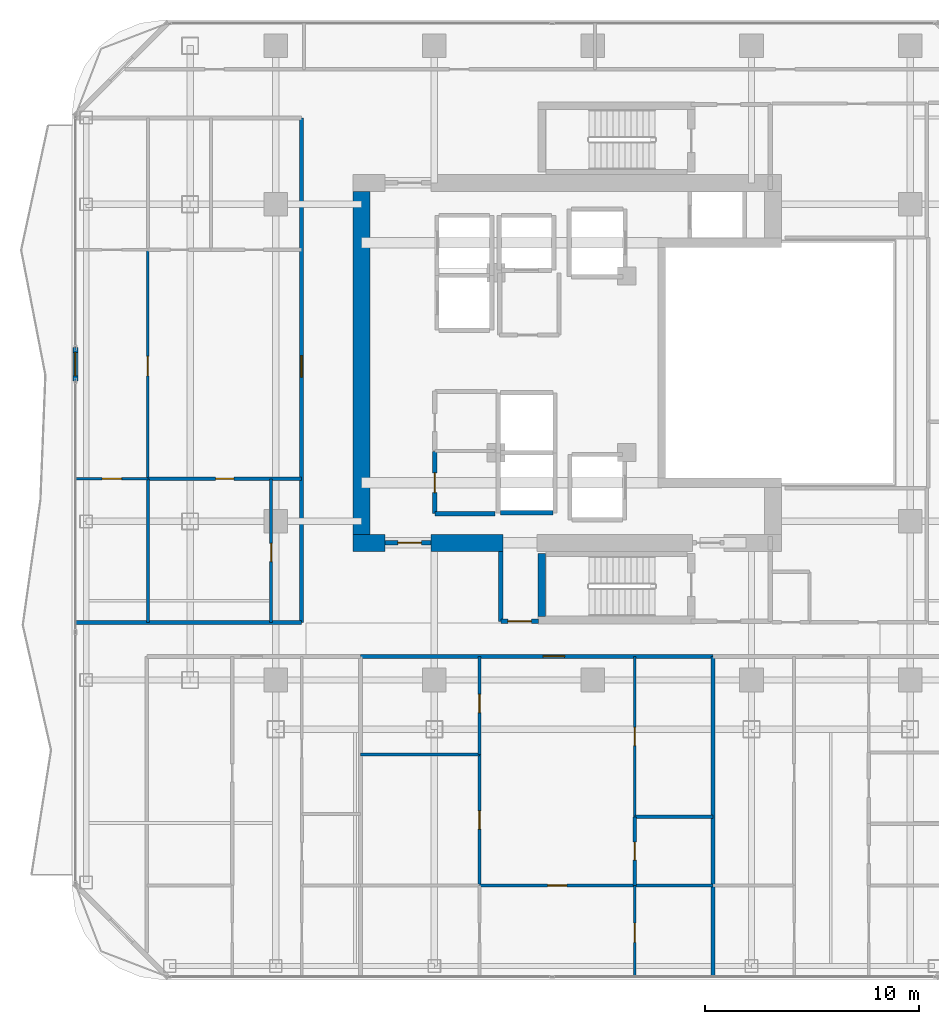
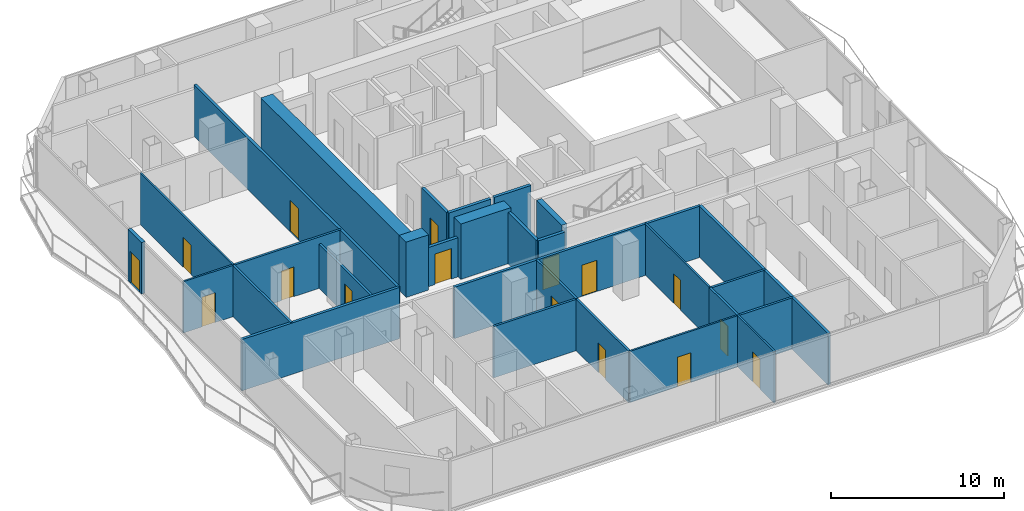
# One storey, part 17 of 23: 29 walls, 16 doors, 16 openings.
"""IFC4 building model written with IfcOpenShell, lengths in metres."""

from ifc_helpers import new_model, si_unit, direction, frame, frame_2d, origin, place, context, subcontext, project, spatial, rectangle, extrude, material, layer, layer_set, type_object, element, fill, save


model = new_model("IFC4")

# Units and contexts
model_context = context("Model", 3, precision=1e-05, world=origin(), true_north=direction((0.0, 1.0)))
body_context = subcontext(model_context, "Body", "Model", "MODEL_VIEW")
ifc_project = project(units=[si_unit("LENGTHUNIT", "METRE"), si_unit("AREAUNIT", "SQUARE_METRE"), si_unit("VOLUMEUNIT", "CUBIC_METRE"), si_unit("PLANEANGLEUNIT", "RADIAN"), si_unit("MASSUNIT", "GRAM", prefix="KILO")], contexts=[model_context])

# Site, building, storey
site_placement = place(None, origin())
site = spatial("IfcSite", under=ifc_project, at=site_placement, CompositionType="ELEMENT")
building_placement = place(site_placement, origin())
building = spatial("IfcBuilding", under=site, at=building_placement, Name="Khorvyn Point Tower", CompositionType="ELEMENT")
storey_placement = place(building_placement, frame((0.0, 0.0, 207.0)))
storey = spatial("IfcBuildingStorey", under=building, at=storey_placement, Name="L51", CompositionType="ELEMENT", Elevation=207.0)

# Wall, opening, door
ifc_material_1 = material(Name="Double acoustic gypsum on twin steel stud", Category="steel")
ifc_layer_1 = layer(ifc_material_1, 0.179931640625)
ifc_layer_set_1 = layer_set([ifc_layer_1], Name="Acoustic Double-Stud Apartment Demising Wall 180")
wall_type_1 = type_object("IfcWallType", Name="Acoustic Double-Stud Apartment Demising Wall 180", PredefinedType="PARTITIONING", material=ifc_layer_set_1)
wall_1_placement = place(storey_placement, frame((-10.85498046875, -13.699951171875, 0.0), z_axis=(0.0, 0.0, 1.0), x_axis=(1.0, 0.0, 0.0)))
wall_1 = element("IfcWall", 1, at=wall_1_placement, inside=storey, type_object=wall_type_1, Name="Wall", PredefinedType="PARTITIONING", context=body_context, shape_type="SweptSolid", body=[
    extrude(rectangle(XDim=16.4541015625, YDim=0.179931640625, at=frame_2d((8.22705078125, 0.0))), origin(), (0.0, 0.0, 1.0), 3.6201171875),
])
opening_1_placement = place(wall_1_placement, frame((8.5283203125, 0.0, 0.0)))
opening_1 = element("IfcOpeningElement", 2, at=opening_1_placement, cuts=wall_1, Name="Opening ID-AP60", PredefinedType="OPENING", context=body_context, shape_type="SweptSolid", body=[
    extrude(rectangle(XDim=1.0, YDim=2.199951171875, at=frame_2d((0.5, 1.10009765625))), frame((0.0, 0.099853515625, 0.0), z_axis=(0.0, -1.0, 0.0), x_axis=(1.0, 0.0, 0.0)), (0.0, 0.0, 1.0), 0.199951171875),
])
ifc_material_2 = material(Name="Engineered hardwood fire-rated leaf", Category="wood")
door_type_1 = type_object("IfcDoorType", Name="Acoustic Solid-Core Timber Apartment Entrance Door 1000x2200", OperationType="NOTDEFINED", PredefinedType="DOOR", material=ifc_material_2)
door_1_placement = place(opening_1_placement, origin())
door_1 = element("IfcDoor", 3, at=door_1_placement, inside=storey, type_object=door_type_1, Name="Door", OperationType="SINGLE_SWING_RIGHT", OverallHeight=2.199951171875, OverallWidth=1.0, PredefinedType="DOOR", context=body_context, shape_type="SweptSolid", body=[
    extrude(rectangle(XDim=1.0, YDim=2.199951171875, at=frame_2d((0.5, 1.10009765625))), frame((0.0, 0.02490234375, 0.0), z_axis=(0.0, -1.0, 0.0), x_axis=(1.0, 0.0, 0.0)), (0.0, 0.0, 1.0), 0.050048828125),
])
fill(opening_1, door_1)

wall_2_placement = place(storey_placement, frame((-13.60009765625, -12.1201171875, 0.0), z_axis=(0.0, 0.0, 1.0), x_axis=(0.0, 1.0, 0.0)))
wall_2 = element("IfcWall", 4, at=wall_2_placement, inside=storey, type_object=wall_type_1, Name="Wall", PredefinedType="PARTITIONING", context=body_context, shape_type="SweptSolid", body=[
    extrude(rectangle(XDim=23.550048828125, YDim=0.179931640625, at=frame_2d((11.77490234375, 0.0))), origin(), (0.0, 0.0, 1.0), 3.6201171875),
])
opening_2_placement = place(wall_2_placement, frame((11.454345703125, 0.0, 0.0)))
opening_2 = element("IfcOpeningElement", 5, at=opening_2_placement, cuts=wall_2, Name="Opening ID-AP60", PredefinedType="OPENING", context=body_context, shape_type="SweptSolid", body=[
    extrude(rectangle(XDim=1.0, YDim=2.199951171875, at=frame_2d((0.5, 1.10009765625))), frame((0.0, 0.099853515625, 0.0), z_axis=(0.0, -1.0, 0.0), x_axis=(1.0, 0.0, 0.0)), (0.0, 0.0, 1.0), 0.199951171875),
])
door_2_placement = place(opening_2_placement, origin())
door_2 = element("IfcDoor", 6, at=door_2_placement, inside=storey, type_object=door_type_1, Name="Door", OperationType="SINGLE_SWING_LEFT", OverallHeight=2.199951171875, OverallWidth=1.0, PredefinedType="DOOR", context=body_context, shape_type="SweptSolid", body=[
    extrude(rectangle(XDim=1.0, YDim=2.199951171875, at=frame_2d((0.5, 1.10009765625))), frame((0.0, 0.02490234375, 0.0), z_axis=(0.0, -1.0, 0.0), x_axis=(1.0, 0.0, 0.0)), (0.0, 0.0, 1.0), 0.050048828125),
])
fill(opening_2, door_2)

# Walls
wall_3_placement = place(storey_placement, frame((5.59912109375, -28.6298828125, 0.0), z_axis=(0.0, 0.0, 1.0), x_axis=(0.0, 1.0, 0.0)))
element("IfcWall", 7, at=wall_3_placement, inside=storey, type_object=wall_type_1, Name="Wall", PredefinedType="PARTITIONING", context=body_context, shape_type="SweptSolid", body=[
    extrude(rectangle(XDim=14.929931640625, YDim=0.179931640625, at=frame_2d((7.46484375, 0.0))), origin(), (0.0, 0.0, 1.0), 3.6201171875),
])
wall_4_placement = place(storey_placement, frame((-24.1298828125, -12.1201171875, 0.0), z_axis=(0.0, 0.0, 1.0), x_axis=(1.0, 0.0, 0.0)))
element("IfcWall", 8, at=wall_4_placement, inside=storey, type_object=wall_type_1, Name="Wall", PredefinedType="PARTITIONING", context=body_context, shape_type="SweptSolid", body=[
    extrude(rectangle(XDim=10.52978515625, YDim=0.179931640625, at=frame_2d((5.264892578125, 0.0))), origin(), (0.0, 0.0, 1.0), 3.6201171875),
])

# Wall, opening, door
ifc_material_3 = material(Name="Pale anodised aluminium rainscreen on steel stud", Category="steel")
ifc_layer_2 = layer(ifc_material_3, 0.239990234375)
ifc_layer_set_2 = layer_set([ifc_layer_2], Name="Anodised Aluminium Insulated Corner Spandrel Wall 240")
wall_type_2 = type_object("IfcWallType", Name="Anodised Aluminium Insulated Corner Spandrel Wall 240", PredefinedType="SOLIDWALL", material=ifc_layer_set_2)
wall_5_placement = place(storey_placement, frame((-24.14990234375, -0.85302734375, 0.0), z_axis=(0.0, 0.0, 1.0), x_axis=(0.0, 1.0, 0.0)))
wall_5 = element("IfcWall", 9, at=wall_5_placement, inside=storey, type_object=wall_type_2, Name="L51 West Outdoor Threshold Wall", PredefinedType="SOLIDWALL", context=body_context, shape_type="SweptSolid", body=[
    extrude(rectangle(XDim=1.580078125, YDim=0.239990234375, at=frame_2d((0.7900390625, 0.0))), origin(), (0.0, 0.0, 1.0), 3.6201171875),
])
opening_3_placement = place(wall_5_placement, frame((0.239990234375, 0.0, 0.0)))
opening_3 = element("IfcOpeningElement", 10, at=opening_3_placement, cuts=wall_5, Name="Opening BD-1122", PredefinedType="OPENING", context=body_context, shape_type="SweptSolid", body=[
    extrude(rectangle(XDim=1.10009765625, YDim=2.199951171875, at=frame_2d((0.550048828125, 1.10009765625))), frame((0.0, 0.1298828125, 0.0), z_axis=(0.0, -1.0, 0.0), x_axis=(1.0, 0.0, 0.0)), (0.0, 0.0, 1.0), 0.260009765625),
])
ifc_material_4 = material(Name="Anodised aluminium 6063-T6 and laminated Low-E glass", Category="aluminium")
door_type_2 = type_object("IfcDoorType", Name="Glazed Balcony and Terrace Threshold Door 1100x2200", OperationType="NOTDEFINED", PredefinedType="DOOR", material=ifc_material_4)
door_3_placement = place(opening_3_placement, origin())
door_3 = element("IfcDoor", 11, at=door_3_placement, inside=storey, type_object=door_type_2, Name="L51 West Glazed Balcony Outdoor Door", OperationType="SINGLE_SWING_RIGHT", OverallHeight=2.199951171875, OverallWidth=1.10009765625, PredefinedType="DOOR", context=body_context, shape_type="SweptSolid", body=[
    extrude(rectangle(XDim=1.10009765625, YDim=2.199951171875, at=frame_2d((0.550048828125, 1.10009765625))), frame((0.0, 0.02490234375, 0.0), z_axis=(0.0, -1.0, 0.0), x_axis=(1.0, 0.0, 0.0)), (0.0, 0.0, 1.0), 0.050048828125),
])
fill(opening_3, door_3)

ifc_material_5 = material(Name="Concrete C40/50", Category="concrete")
ifc_layer_3 = layer(ifc_material_5, 0.199951171875)
ifc_layer_set_3 = layer_set([ifc_layer_3], Name="Concrete C40/50 Fire-Lobby Compartment Wall 200")
wall_type_3 = type_object("IfcWallType", Name="Concrete C40/50 Fire-Lobby Compartment Wall 200", PredefinedType="SOLIDWALL", material=ifc_layer_set_3)
wall_6_placement = place(storey_placement, frame((-9.699951171875, -8.39990234375, 0.0), z_axis=(0.0, 0.0, 1.0), x_axis=(1.0, 0.0, 0.0)))
wall_6 = element("IfcWall", 12, at=wall_6_placement, inside=storey, type_object=wall_type_3, Name="Wall", PredefinedType="SOLIDWALL", context=body_context, shape_type="SweptSolid", body=[
    extrude(rectangle(XDim=2.14990234375, YDim=0.199951171875, at=frame_2d((1.074951171875, 0.0))), origin(), (0.0, 0.0, 1.0), 2.760009765625),
])
opening_4_placement = place(wall_6_placement, frame((0.597900390625, 0.0, 0.0)))
opening_4 = element("IfcOpeningElement", 13, at=opening_4_placement, cuts=wall_6, Name="Opening ID-FL90", PredefinedType="OPENING", context=body_context, shape_type="SweptSolid", body=[
    extrude(rectangle(XDim=1.10009765625, YDim=2.14990234375, at=frame_2d((0.550048828125, 1.074951171875))), frame((0.0, 0.10986328125, 0.0), z_axis=(0.0, -1.0, 0.0), x_axis=(1.0, 0.0, 0.0)), (0.0, 0.0, 1.0), 0.219970703125),
])
ifc_material_6 = material(Name="Galvanised powder-coated steel", Category="steel")
door_type_3 = type_object("IfcDoorType", Name="Fire-Rated Steel Lobby and Stair Door 1100x2150", OperationType="NOTDEFINED", PredefinedType="DOOR", material=ifc_material_6)
door_4_placement = place(opening_4_placement, origin())
door_4 = element("IfcDoor", 14, at=door_4_placement, inside=storey, type_object=door_type_3, Name="Door", OperationType="SINGLE_SWING_RIGHT", OverallHeight=2.14990234375, OverallWidth=1.10009765625, PredefinedType="DOOR", context=body_context, shape_type="SweptSolid", body=[
    extrude(rectangle(XDim=1.10009765625, YDim=2.14990234375, at=frame_2d((0.550048828125, 1.074951171875))), frame((0.0, 0.02490234375, 0.0), z_axis=(0.0, -1.0, 0.0), x_axis=(1.0, 0.0, 0.0)), (0.0, 0.0, 1.0), 0.050048828125),
])
fill(opening_4, door_4)

wall_7_placement = place(storey_placement, frame((-4.300048828125, -12.06005859375, 0.0), z_axis=(0.0, 0.0, 1.0), x_axis=(1.0, 0.0, 0.0)))
wall_7 = element("IfcWall", 15, at=wall_7_placement, inside=storey, type_object=wall_type_3, Name="Wall", PredefinedType="SOLIDWALL", context=body_context, shape_type="SweptSolid", body=[
    extrude(rectangle(XDim=1.75, YDim=0.199951171875, at=frame_2d((0.875, 0.0))), origin(), (0.0, 0.0, 1.0), 3.6201171875),
])
opening_5_placement = place(wall_7_placement, frame((0.324951171875, 0.0, 0.0)))
opening_5 = element("IfcOpeningElement", 16, at=opening_5_placement, cuts=wall_7, Name="Opening ID-FL90", PredefinedType="OPENING", context=body_context, shape_type="SweptSolid", body=[
    extrude(rectangle(XDim=1.10009765625, YDim=2.14990234375, at=frame_2d((0.550048828125, 1.074951171875))), frame((0.0, 0.10986328125, 0.0), z_axis=(0.0, -1.0, 0.0), x_axis=(1.0, 0.0, 0.0)), (0.0, 0.0, 1.0), 0.219970703125),
])
door_5_placement = place(opening_5_placement, origin())
door_5 = element("IfcDoor", 17, at=door_5_placement, inside=storey, type_object=door_type_3, Name="Door", OperationType="SINGLE_SWING_RIGHT", OverallHeight=2.14990234375, OverallWidth=1.10009765625, PredefinedType="DOOR", context=body_context, shape_type="SweptSolid", body=[
    extrude(rectangle(XDim=1.10009765625, YDim=2.14990234375, at=frame_2d((0.550048828125, 1.074951171875))), frame((0.0, 0.02490234375, 0.0), z_axis=(0.0, -1.0, 0.0), x_axis=(1.0, 0.0, 0.0)), (0.0, 0.0, 1.0), 0.050048828125),
])
fill(opening_5, door_5)

wall_8_placement = place(storey_placement, frame((-7.3798828125, -7.0400390625, 0.0), z_axis=(0.0, 0.0, 1.0), x_axis=(0.0, 1.0, 0.0)))
wall_8 = element("IfcWall", 18, at=wall_8_placement, inside=storey, type_object=wall_type_3, Name="Wall", PredefinedType="SOLIDWALL", context=body_context, shape_type="SweptSolid", body=[
    extrude(rectangle(XDim=2.900146484375, YDim=0.199951171875, at=frame_2d((1.4501953125, 0.0))), origin(), (0.0, 0.0, 1.0), 3.6201171875),
])
opening_6_placement = place(wall_8_placement, frame((0.989990234375, 0.0, 0.0)))
opening_6 = element("IfcOpeningElement", 19, at=opening_6_placement, cuts=wall_8, Name="Opening ID-RS60", PredefinedType="OPENING", context=body_context, shape_type="SweptSolid", body=[
    extrude(rectangle(XDim=0.919921875, YDim=2.10009765625, at=frame_2d((0.4599609375, 1.050048828125))), frame((0.0, 0.10986328125, 0.0), z_axis=(0.0, -1.0, 0.0), x_axis=(1.0, 0.0, 0.0)), (0.0, 0.0, 1.0), 0.219970703125),
])
door_type_4 = type_object("IfcDoorType", Name="Fire-Rated Riser and Store Steel Door 920x2100", OperationType="NOTDEFINED", PredefinedType="DOOR", material=ifc_material_6)
door_6_placement = place(opening_6_placement, origin())
door_6 = element("IfcDoor", 20, at=door_6_placement, inside=storey, type_object=door_type_4, Name="Door", OperationType="SINGLE_SWING_LEFT", OverallHeight=2.10009765625, OverallWidth=0.919921875, PredefinedType="DOOR", context=body_context, shape_type="SweptSolid", body=[
    extrude(rectangle(XDim=0.919921875, YDim=2.10009765625, at=frame_2d((0.4599609375, 1.050048828125))), frame((0.0, 0.02490234375, 0.0), z_axis=(0.0, -1.0, 0.0), x_axis=(1.0, 0.0, 0.0)), (0.0, 0.0, 1.0), 0.050048828125),
])
fill(opening_6, door_6)

# Walls
wall_9_placement = place(storey_placement, frame((-4.300048828125, -12.06005859375, 0.0), z_axis=(0.0, 0.0, 1.0), x_axis=(0.0, 1.0, 0.0)))
element("IfcWall", 21, at=wall_9_placement, inside=storey, type_object=wall_type_3, Name="Wall", PredefinedType="SOLIDWALL", context=body_context, shape_type="SweptSolid", body=[
    extrude(rectangle(XDim=3.260009765625, YDim=0.199951171875, at=frame_2d((1.6298828125, 0.0))), origin(), (0.0, 0.0, 1.0), 3.6201171875),
])
wall_10_placement = place(storey_placement, frame((-7.3798828125, -7.0400390625, 0.0), z_axis=(0.0, 0.0, 1.0), x_axis=(1.0, 0.0, 0.0)))
element("IfcWall", 22, at=wall_10_placement, inside=storey, type_object=wall_type_3, Name="Wall", PredefinedType="SOLIDWALL", context=body_context, shape_type="SweptSolid", body=[
    extrude(rectangle(XDim=2.7998046875, YDim=0.199951171875, at=frame_2d((1.39990234375, 0.0))), origin(), (0.0, 0.0, 1.0), 3.6201171875),
])
ifc_layer_4 = layer(ifc_material_5, 0.35009765625)
ifc_layer_set_4 = layer_set([ifc_layer_4], Name="Concrete C40/50 Stair Shaft Structural Wall 350")
wall_type_4 = type_object("IfcWallType", Name="Concrete C40/50 Stair Shaft Structural Wall 350", PredefinedType="SHEAR", material=ifc_layer_set_4)
wall_11_placement = place(storey_placement, frame((-2.3798828125, -11.824951171875, 0.0), z_axis=(0.0, 0.0, 1.0), x_axis=(0.0, 1.0, 0.0)))
element("IfcWall", 23, at=wall_11_placement, inside=storey, type_object=wall_type_4, Name="L51 ST-01 West Shaft Wall", PredefinedType="SHEAR", context=body_context, shape_type="SweptSolid", body=[
    extrude(rectangle(XDim=2.925048828125, YDim=0.35009765625, at=frame_2d((1.46240234375, 0.0))), origin(), (0.0, 0.0, 1.0), 3.89990234375),
])
ifc_layer_5 = layer(ifc_material_5, 0.199951171875)
ifc_layer_set_5 = layer_set([ifc_layer_5], Name="Concrete C40/50 Structural Hoistway and Stair Shaft Wall 200")
wall_type_5 = type_object("IfcWallType", Name="Concrete C40/50 Structural Hoistway and Stair Shaft Wall 200", PredefinedType="SHEAR", material=ifc_layer_set_5)
wall_12_placement = place(storey_placement, frame((-4.324951171875, -7.0, 0.0), z_axis=(0.0, 0.0, 1.0), x_axis=(1.0, 0.0, 0.0)))
element("IfcWall", 24, at=wall_12_placement, inside=storey, type_object=wall_type_5, Name="Wall", PredefinedType="SHEAR", context=body_context, shape_type="SweptSolid", body=[
    extrude(rectangle(XDim=2.449951171875, YDim=0.199951171875, at=frame_2d((1.22509765625, 0.0))), origin(), (0.0, 0.0, 1.0), 3.6201171875),
])
ifc_material_7 = material(Name="Concrete C45/55", Category="concrete")
ifc_layer_6 = layer(ifc_material_7, 0.800048828125)
ifc_layer_set_6 = layer_set([ifc_layer_6], Name="Concrete C45/55 Core Shear Wall 800")
wall_type_6 = type_object("IfcWallType", Name="Concrete C45/55 Core Shear Wall 800", PredefinedType="SHEAR", material=ifc_layer_set_6)
wall_13_placement = place(storey_placement, frame((-11.199951171875, -8.39990234375, 0.0), z_axis=(0.0, 0.0, 1.0), x_axis=(1.0, 0.0, 0.0)))
element("IfcWall", 25, at=wall_13_placement, inside=storey, type_object=wall_type_6, Name="Wall", PredefinedType="SHEAR", context=body_context, shape_type="SweptSolid", body=[
    extrude(rectangle(XDim=1.5, YDim=0.800048828125, at=frame_2d((0.75, 0.0))), origin(), (0.0, 0.0, 1.0), 3.89990234375),
])
wall_14_placement = place(storey_placement, frame((-7.550048828125, -8.39990234375, 0.0), z_axis=(0.0, 0.0, 1.0), x_axis=(1.0, 0.0, 0.0)))
element("IfcWall", 26, at=wall_14_placement, inside=storey, type_object=wall_type_6, Name="Wall", PredefinedType="SHEAR", context=body_context, shape_type="SweptSolid", body=[
    extrude(rectangle(XDim=3.35009765625, YDim=0.800048828125, at=frame_2d((1.675048828125, 0.0))), origin(), (0.0, 0.0, 1.0), 3.89990234375),
])
wall_15_placement = place(storey_placement, frame((-10.800048828125, -8.0, 0.0), z_axis=(0.0, 0.0, 1.0), x_axis=(0.0, 1.0, 0.0)))
element("IfcWall", 27, at=wall_15_placement, inside=storey, type_object=wall_type_6, Name="Wall", PredefinedType="SHEAR", context=body_context, shape_type="SweptSolid", body=[
    extrude(rectangle(XDim=16.0, YDim=0.800048828125, at=frame_2d((8.0, 0.0))), origin(), (0.0, 0.0, 1.0), 3.89990234375),
])

# Wall, opening, door
ifc_material_8 = material(Name="Gypsum plasterboard on steel stud", Category="steel")
ifc_layer_7 = layer(ifc_material_8, 0.1201171875)
ifc_layer_set_7 = layer_set([ifc_layer_7], Name="Gypsum Acoustic Stud Room Partition Wall 120")
wall_type_7 = type_object("IfcWallType", Name="Gypsum Acoustic Stud Room Partition Wall 120", PredefinedType="PARTITIONING", material=ifc_layer_set_7)
wall_16_placement = place(storey_placement, frame((-5.29296875, -24.389892578125, 0.0), z_axis=(0.0, 0.0, 1.0), x_axis=(1.0, 0.0, 0.0)))
wall_16 = element("IfcWall", 28, at=wall_16_placement, inside=storey, type_object=wall_type_7, Name="Wall", PredefinedType="PARTITIONING", context=body_context, shape_type="SweptSolid", body=[
    extrude(rectangle(XDim=7.248046875, YDim=0.1201171875, at=frame_2d((3.6240234375, 0.0))), origin(), (0.0, 0.0, 1.0), 3.6201171875),
])
opening_7_placement = place(wall_16_placement, frame((3.174072265625, 0.0, 0.0)))
opening_7 = element("IfcOpeningElement", 29, at=opening_7_placement, cuts=wall_16, Name="Opening ID-RM90", PredefinedType="OPENING", context=body_context, shape_type="SweptSolid", body=[
    extrude(rectangle(XDim=0.89990234375, YDim=2.10009765625, at=frame_2d((0.449951171875, 1.050048828125))), frame((0.0, 0.070068359375, 0.0), z_axis=(0.0, -1.0, 0.0), x_axis=(1.0, 0.0, 0.0)), (0.0, 0.0, 1.0), 0.14013671875),
])
ifc_material_9 = material(Name="Engineered oak veneer timber", Category="wood")
door_type_5 = type_object("IfcDoorType", Name="Flush Engineered Timber Room Door 900x2100", OperationType="NOTDEFINED", PredefinedType="DOOR", material=ifc_material_9)
door_7_placement = place(opening_7_placement, origin())
door_7 = element("IfcDoor", 30, at=door_7_placement, inside=storey, type_object=door_type_5, Name="Door", OperationType="SINGLE_SWING_LEFT", OverallHeight=2.10009765625, OverallWidth=0.89990234375, PredefinedType="DOOR", context=body_context, shape_type="SweptSolid", body=[
    extrude(rectangle(XDim=0.89990234375, YDim=2.10009765625, at=frame_2d((0.449951171875, 1.050048828125))), frame((0.0, 0.02490234375, 0.0), z_axis=(0.0, -1.0, 0.0), x_axis=(1.0, 0.0, 0.0)), (0.0, 0.0, 1.0), 0.050048828125),
])
fill(opening_7, door_7)

wall_17_placement = place(storey_placement, frame((1.955078125, -21.18310546875, 0.0), z_axis=(0.0, 0.0, 1.0), x_axis=(0.0, 1.0, 0.0)))
wall_17 = element("IfcWall", 31, at=wall_17_placement, inside=storey, type_object=wall_type_7, Name="Wall", PredefinedType="PARTITIONING", context=body_context, shape_type="SweptSolid", body=[
    extrude(rectangle(XDim=7.483154296875, YDim=0.1201171875, at=frame_2d((3.74169921875, 0.0))), origin(), (0.0, 0.0, 1.0), 3.6201171875),
])
opening_8_placement = place(wall_17_placement, frame((3.31640625, 0.0, 0.0)))
opening_8 = element("IfcOpeningElement", 32, at=opening_8_placement, cuts=wall_17, Name="Opening ID-WC85", PredefinedType="OPENING", context=body_context, shape_type="SweptSolid", body=[
    extrude(rectangle(XDim=0.85009765625, YDim=2.10009765625, at=frame_2d((0.425048828125, 1.050048828125))), frame((0.0, 0.070068359375, 0.0), z_axis=(0.0, -1.0, 0.0), x_axis=(1.0, 0.0, 0.0)), (0.0, 0.0, 1.0), 0.14013671875),
])
ifc_material_10 = material(Name="High-pressure laminate on moisture-resistant core", Category="wood")
door_type_6 = type_object("IfcDoorType", Name="Moisture-Resistant Accessible Washroom Door 850x2100", OperationType="NOTDEFINED", PredefinedType="DOOR", material=ifc_material_10)
door_8_placement = place(opening_8_placement, origin())
door_8 = element("IfcDoor", 33, at=door_8_placement, inside=storey, type_object=door_type_6, Name="Door", OperationType="SINGLE_SWING_RIGHT", OverallHeight=2.10009765625, OverallWidth=0.85009765625, PredefinedType="DOOR", context=body_context, shape_type="SweptSolid", body=[
    extrude(rectangle(XDim=0.85009765625, YDim=2.10009765625, at=frame_2d((0.425048828125, 1.050048828125))), frame((0.0, 0.02490234375, 0.0), z_axis=(0.0, -1.0, 0.0), x_axis=(1.0, 0.0, 0.0)), (0.0, 0.0, 1.0), 0.050048828125),
])
fill(opening_8, door_8)

wall_18_placement = place(storey_placement, frame((1.955078125, -28.6298828125, 0.0), z_axis=(0.0, 0.0, 1.0), x_axis=(0.0, 1.0, 0.0)))
wall_18 = element("IfcWall", 34, at=wall_18_placement, inside=storey, type_object=wall_type_7, Name="Wall", PredefinedType="PARTITIONING", context=body_context, shape_type="SweptSolid", body=[
    extrude(rectangle(XDim=4.239990234375, YDim=0.1201171875, at=frame_2d((2.1201171875, 0.0))), origin(), (0.0, 0.0, 1.0), 3.6201171875),
])
opening_9_placement = place(wall_18_placement, frame((1.581298828125, 0.0, 0.0)))
opening_9 = element("IfcOpeningElement", 35, at=opening_9_placement, cuts=wall_18, Name="Opening ID-RM90", PredefinedType="OPENING", context=body_context, shape_type="SweptSolid", body=[
    extrude(rectangle(XDim=0.89990234375, YDim=2.10009765625, at=frame_2d((0.449951171875, 1.050048828125))), frame((0.0, 0.070068359375, 0.0), z_axis=(0.0, -1.0, 0.0), x_axis=(1.0, 0.0, 0.0)), (0.0, 0.0, 1.0), 0.14013671875),
])
door_9_placement = place(opening_9_placement, origin())
door_9 = element("IfcDoor", 36, at=door_9_placement, inside=storey, type_object=door_type_5, Name="Door", OperationType="SINGLE_SWING_LEFT", OverallHeight=2.10009765625, OverallWidth=0.89990234375, PredefinedType="DOOR", context=body_context, shape_type="SweptSolid", body=[
    extrude(rectangle(XDim=0.89990234375, YDim=2.10009765625, at=frame_2d((0.449951171875, 1.050048828125))), frame((0.0, 0.02490234375, 0.0), z_axis=(0.0, -1.0, 0.0), x_axis=(1.0, 0.0, 0.0)), (0.0, 0.0, 1.0), 0.050048828125),
])
fill(opening_9, door_9)

wall_19_placement = place(storey_placement, frame((-20.76904296875, -5.408935546875, 0.0), z_axis=(0.0, 0.0, 1.0), x_axis=(0.0, 1.0, 0.0)))
wall_19 = element("IfcWall", 37, at=wall_19_placement, inside=storey, type_object=wall_type_7, Name="Wall", PredefinedType="PARTITIONING", context=body_context, shape_type="SweptSolid", body=[
    extrude(rectangle(XDim=10.69091796875, YDim=0.1201171875, at=frame_2d((5.345458984375, 0.0))), origin(), (0.0, 0.0, 1.0), 3.6201171875),
])
opening_10_placement = place(wall_19_placement, frame((4.80615234375, 0.0, 0.0)))
opening_10 = element("IfcOpeningElement", 38, at=opening_10_placement, cuts=wall_19, Name="Opening ID-RM90", PredefinedType="OPENING", context=body_context, shape_type="SweptSolid", body=[
    extrude(rectangle(XDim=0.89990234375, YDim=2.10009765625, at=frame_2d((0.449951171875, 1.050048828125))), frame((0.0, 0.070068359375, 0.0), z_axis=(0.0, -1.0, 0.0), x_axis=(1.0, 0.0, 0.0)), (0.0, 0.0, 1.0), 0.14013671875),
])
door_10_placement = place(opening_10_placement, origin())
door_10 = element("IfcDoor", 39, at=door_10_placement, inside=storey, type_object=door_type_5, Name="Door", OperationType="SINGLE_SWING_RIGHT", OverallHeight=2.10009765625, OverallWidth=0.89990234375, PredefinedType="DOOR", context=body_context, shape_type="SweptSolid", body=[
    extrude(rectangle(XDim=0.89990234375, YDim=2.10009765625, at=frame_2d((0.449951171875, 1.050048828125))), frame((0.0, 0.02490234375, 0.0), z_axis=(0.0, -1.0, 0.0), x_axis=(1.0, 0.0, 0.0)), (0.0, 0.0, 1.0), 0.050048828125),
])
fill(opening_10, door_10)

wall_20_placement = place(storey_placement, frame((-24.1298828125, -5.408935546875, 0.0), z_axis=(0.0, 0.0, 1.0), x_axis=(1.0, 0.0, 0.0)))
wall_20 = element("IfcWall", 40, at=wall_20_placement, inside=storey, type_object=wall_type_7, Name="Wall", PredefinedType="PARTITIONING", context=body_context, shape_type="SweptSolid", body=[
    extrude(rectangle(XDim=3.36083984375, YDim=0.1201171875, at=frame_2d((1.680419921875, 0.0))), origin(), (0.0, 0.0, 1.0), 3.6201171875),
])
opening_11_placement = place(wall_20_placement, frame((1.23046875, 0.0, 0.0)))
opening_11 = element("IfcOpeningElement", 41, at=opening_11_placement, cuts=wall_20, Name="Opening ID-RM90", PredefinedType="OPENING", context=body_context, shape_type="SweptSolid", body=[
    extrude(rectangle(XDim=0.89990234375, YDim=2.10009765625, at=frame_2d((0.449951171875, 1.050048828125))), frame((0.0, 0.070068359375, 0.0), z_axis=(0.0, -1.0, 0.0), x_axis=(1.0, 0.0, 0.0)), (0.0, 0.0, 1.0), 0.14013671875),
])
door_11_placement = place(opening_11_placement, origin())
door_11 = element("IfcDoor", 42, at=door_11_placement, inside=storey, type_object=door_type_5, Name="Door", OperationType="SINGLE_SWING_LEFT", OverallHeight=2.10009765625, OverallWidth=0.89990234375, PredefinedType="DOOR", context=body_context, shape_type="SweptSolid", body=[
    extrude(rectangle(XDim=0.89990234375, YDim=2.10009765625, at=frame_2d((0.449951171875, 1.050048828125))), frame((0.0, 0.02490234375, 0.0), z_axis=(0.0, -1.0, 0.0), x_axis=(1.0, 0.0, 0.0)), (0.0, 0.0, 1.0), 0.050048828125),
])
fill(opening_11, door_11)

ifc_material_11 = material(Name="Moisture-resistant gypsum and cement board", Category="gypsum")
ifc_layer_8 = layer(ifc_material_11, 0.14990234375)
ifc_layer_set_8 = layer_set([ifc_layer_8], Name="Moisture-Resistant Wet-Room Partition Wall 150")
wall_type_8 = type_object("IfcWallType", Name="Moisture-Resistant Wet-Room Partition Wall 150", PredefinedType="PARTITIONING", material=ifc_layer_set_8)
wall_21_placement = place(storey_placement, frame((-5.29296875, -24.389892578125, 0.0), z_axis=(0.0, 0.0, 1.0), x_axis=(0.0, 1.0, 0.0)))
wall_21 = element("IfcWall", 43, at=wall_21_placement, inside=storey, type_object=wall_type_8, Name="Wall", PredefinedType="PARTITIONING", context=body_context, shape_type="SweptSolid", body=[
    extrude(rectangle(XDim=6.11279296875, YDim=0.14990234375, at=frame_2d((3.056396484375, 0.0))), origin(), (0.0, 0.0, 1.0), 3.6201171875),
])
opening_12_placement = place(wall_21_placement, frame((2.631591796875, 0.0, 0.0)))
opening_12 = element("IfcOpeningElement", 44, at=opening_12_placement, cuts=wall_21, Name="Opening ID-WC85", PredefinedType="OPENING", context=body_context, shape_type="SweptSolid", body=[
    extrude(rectangle(XDim=0.85009765625, YDim=2.10009765625, at=frame_2d((0.425048828125, 1.050048828125))), frame((0.0, 0.0849609375, 0.0), z_axis=(0.0, -1.0, 0.0), x_axis=(1.0, 0.0, 0.0)), (0.0, 0.0, 1.0), 0.169921875),
])
door_12_placement = place(opening_12_placement, origin())
door_12 = element("IfcDoor", 45, at=door_12_placement, inside=storey, type_object=door_type_6, Name="Door", OperationType="SINGLE_SWING_RIGHT", OverallHeight=2.10009765625, OverallWidth=0.85009765625, PredefinedType="DOOR", context=body_context, shape_type="SweptSolid", body=[
    extrude(rectangle(XDim=0.85009765625, YDim=2.10009765625, at=frame_2d((0.425048828125, 1.050048828125))), frame((0.0, 0.02490234375, 0.0), z_axis=(0.0, -1.0, 0.0), x_axis=(1.0, 0.0, 0.0)), (0.0, 0.0, 1.0), 0.050048828125),
])
fill(opening_12, door_12)

wall_22_placement = place(storey_placement, frame((-5.29296875, -18.277099609375, 0.0), z_axis=(0.0, 0.0, 1.0), x_axis=(0.0, 1.0, 0.0)))
wall_22 = element("IfcWall", 46, at=wall_22_placement, inside=storey, type_object=wall_type_8, Name="Wall", PredefinedType="PARTITIONING", context=body_context, shape_type="SweptSolid", body=[
    extrude(rectangle(XDim=4.5771484375, YDim=0.14990234375, at=frame_2d((2.28857421875, 0.0))), origin(), (0.0, 0.0, 1.0), 3.6201171875),
])
opening_13_placement = place(wall_22_placement, frame((1.953125, 0.0, 0.0)))
opening_13 = element("IfcOpeningElement", 47, at=opening_13_placement, cuts=wall_22, Name="Opening ID-WC85", PredefinedType="OPENING", context=body_context, shape_type="SweptSolid", body=[
    extrude(rectangle(XDim=0.85009765625, YDim=2.10009765625, at=frame_2d((0.425048828125, 1.050048828125))), frame((0.0, 0.0849609375, 0.0), z_axis=(0.0, -1.0, 0.0), x_axis=(1.0, 0.0, 0.0)), (0.0, 0.0, 1.0), 0.169921875),
])
door_13_placement = place(opening_13_placement, origin())
door_13 = element("IfcDoor", 48, at=door_13_placement, inside=storey, type_object=door_type_6, Name="Door", OperationType="SINGLE_SWING_LEFT", OverallHeight=2.10009765625, OverallWidth=0.85009765625, PredefinedType="DOOR", context=body_context, shape_type="SweptSolid", body=[
    extrude(rectangle(XDim=0.85009765625, YDim=2.10009765625, at=frame_2d((0.425048828125, 1.050048828125))), frame((0.0, 0.02490234375, 0.0), z_axis=(0.0, -1.0, 0.0), x_axis=(1.0, 0.0, 0.0)), (0.0, 0.0, 1.0), 0.050048828125),
])
fill(opening_13, door_13)

wall_23_placement = place(storey_placement, frame((1.955078125, -24.389892578125, 0.0), z_axis=(0.0, 0.0, 1.0), x_axis=(0.0, 1.0, 0.0)))
wall_23 = element("IfcWall", 49, at=wall_23_placement, inside=storey, type_object=wall_type_8, Name="Wall", PredefinedType="PARTITIONING", context=body_context, shape_type="SweptSolid", body=[
    extrude(rectangle(XDim=3.206787109375, YDim=0.14990234375, at=frame_2d((1.603515625, 0.0))), origin(), (0.0, 0.0, 1.0), 3.6201171875),
])
opening_14_placement = place(wall_23_placement, frame((1.178466796875, 0.0, 0.0)))
opening_14 = element("IfcOpeningElement", 50, at=opening_14_placement, cuts=wall_23, Name="Opening ID-WC85", PredefinedType="OPENING", context=body_context, shape_type="SweptSolid", body=[
    extrude(rectangle(XDim=0.85009765625, YDim=2.10009765625, at=frame_2d((0.425048828125, 1.050048828125))), frame((0.0, 0.0849609375, 0.0), z_axis=(0.0, -1.0, 0.0), x_axis=(1.0, 0.0, 0.0)), (0.0, 0.0, 1.0), 0.169921875),
])
door_14_placement = place(opening_14_placement, origin())
door_14 = element("IfcDoor", 51, at=door_14_placement, inside=storey, type_object=door_type_6, Name="Door", OperationType="SINGLE_SWING_LEFT", OverallHeight=2.10009765625, OverallWidth=0.85009765625, PredefinedType="DOOR", context=body_context, shape_type="SweptSolid", body=[
    extrude(rectangle(XDim=0.85009765625, YDim=2.10009765625, at=frame_2d((0.425048828125, 1.050048828125))), frame((0.0, 0.02490234375, 0.0), z_axis=(0.0, -1.0, 0.0), x_axis=(1.0, 0.0, 0.0)), (0.0, 0.0, 1.0), 0.050048828125),
])
fill(opening_14, door_14)

wall_24_placement = place(storey_placement, frame((-15.02001953125, -12.1201171875, 0.0), z_axis=(0.0, 0.0, 1.0), x_axis=(0.0, 1.0, 0.0)))
wall_24 = element("IfcWall", 52, at=wall_24_placement, inside=storey, type_object=wall_type_8, Name="Wall", PredefinedType="PARTITIONING", context=body_context, shape_type="SweptSolid", body=[
    extrude(rectangle(XDim=6.711181640625, YDim=0.14990234375, at=frame_2d((3.35546875, 0.0))), origin(), (0.0, 0.0, 1.0), 3.1220703125),
])
opening_15_placement = place(wall_24_placement, frame((2.841064453125, 0.0, 0.0)))
opening_15 = element("IfcOpeningElement", 53, at=opening_15_placement, cuts=wall_24, Name="Opening ID-WC85", PredefinedType="OPENING", context=body_context, shape_type="SweptSolid", body=[
    extrude(rectangle(XDim=0.85009765625, YDim=2.10009765625, at=frame_2d((0.425048828125, 1.050048828125))), frame((0.0, 0.0849609375, 0.0), z_axis=(0.0, -1.0, 0.0), x_axis=(1.0, 0.0, 0.0)), (0.0, 0.0, 1.0), 0.169921875),
])
door_15_placement = place(opening_15_placement, origin())
door_15 = element("IfcDoor", 54, at=door_15_placement, inside=storey, type_object=door_type_6, Name="Door", OperationType="SINGLE_SWING_LEFT", OverallHeight=2.10009765625, OverallWidth=0.85009765625, PredefinedType="DOOR", context=body_context, shape_type="SweptSolid", body=[
    extrude(rectangle(XDim=0.85009765625, YDim=2.10009765625, at=frame_2d((0.425048828125, 1.050048828125))), frame((0.0, 0.02490234375, 0.0), z_axis=(0.0, -1.0, 0.0), x_axis=(1.0, 0.0, 0.0)), (0.0, 0.0, 1.0), 0.050048828125),
])
fill(opening_15, door_15)

wall_25_placement = place(storey_placement, frame((-20.76904296875, -5.408935546875, 0.0), z_axis=(0.0, 0.0, 1.0), x_axis=(1.0, 0.0, 0.0)))
wall_25 = element("IfcWall", 55, at=wall_25_placement, inside=storey, type_object=wall_type_8, Name="Wall", PredefinedType="PARTITIONING", context=body_context, shape_type="SweptSolid", body=[
    extrude(rectangle(XDim=7.1689453125, YDim=0.14990234375, at=frame_2d((3.58447265625, 0.0))), origin(), (0.0, 0.0, 1.0), 3.6201171875),
])
opening_16_placement = place(wall_25_placement, frame((3.159423828125, 0.0, 0.0)))
opening_16 = element("IfcOpeningElement", 56, at=opening_16_placement, cuts=wall_25, Name="Opening ID-WC85", PredefinedType="OPENING", context=body_context, shape_type="SweptSolid", body=[
    extrude(rectangle(XDim=0.85009765625, YDim=2.10009765625, at=frame_2d((0.425048828125, 1.050048828125))), frame((0.0, 0.0849609375, 0.0), z_axis=(0.0, -1.0, 0.0), x_axis=(1.0, 0.0, 0.0)), (0.0, 0.0, 1.0), 0.169921875),
])
door_16_placement = place(opening_16_placement, origin())
door_16 = element("IfcDoor", 57, at=door_16_placement, inside=storey, type_object=door_type_6, Name="Door", OperationType="SINGLE_SWING_RIGHT", OverallHeight=2.10009765625, OverallWidth=0.85009765625, PredefinedType="DOOR", context=body_context, shape_type="SweptSolid", body=[
    extrude(rectangle(XDim=0.85009765625, YDim=2.10009765625, at=frame_2d((0.425048828125, 1.050048828125))), frame((0.0, 0.02490234375, 0.0), z_axis=(0.0, -1.0, 0.0), x_axis=(1.0, 0.0, 0.0)), (0.0, 0.0, 1.0), 0.050048828125),
])
fill(opening_16, door_16)

# Walls
wall_26_placement = place(storey_placement, frame((-10.85498046875, -18.277099609375, 0.0), z_axis=(0.0, 0.0, 1.0), x_axis=(1.0, 0.0, 0.0)))
element("IfcWall", 58, at=wall_26_placement, inside=storey, type_object=wall_type_8, Name="Wall", PredefinedType="PARTITIONING", context=body_context, shape_type="SweptSolid", body=[
    extrude(rectangle(XDim=5.56201171875, YDim=0.14990234375, at=frame_2d((2.781005859375, 0.0))), origin(), (0.0, 0.0, 1.0), 3.6201171875),
])
for number, where, z_axis, x_axis, name in (
    (59, (1.955078125, -21.18310546875, 0.0), (0.0, 0.0, 1.0), (1.0, 0.0, 0.0), "Wall"),
    (60, (1.955078125, -24.389892578125, 0.0), (0.0, 0.0, 1.0), (1.0, 0.0, 0.0), "Wall"),
):
    element("IfcWall", number, at=place(storey_placement, frame(where, z_axis=z_axis, x_axis=x_axis)), inside=storey, type_object=wall_type_8, Name=name, PredefinedType="PARTITIONING", context=body_context, shape_type="SweptSolid", body=[
        extrude(rectangle(XDim=3.64404296875, YDim=0.14990234375, at=frame_2d((1.822021484375, 0.0))), origin(), (0.0, 0.0, 1.0), 3.6201171875),
    ])
wall_27_placement = place(storey_placement, frame((-20.76904296875, -12.1201171875, 0.0), z_axis=(0.0, 0.0, 1.0), x_axis=(0.0, 1.0, 0.0)))
element("IfcWall", 61, at=wall_27_placement, inside=storey, type_object=wall_type_8, Name="Wall", PredefinedType="PARTITIONING", context=body_context, shape_type="SweptSolid", body=[
    extrude(rectangle(XDim=6.711181640625, YDim=0.14990234375, at=frame_2d((3.35546875, 0.0))), origin(), (0.0, 0.0, 1.0), 3.6201171875),
])

save(model, "model.ifc")
